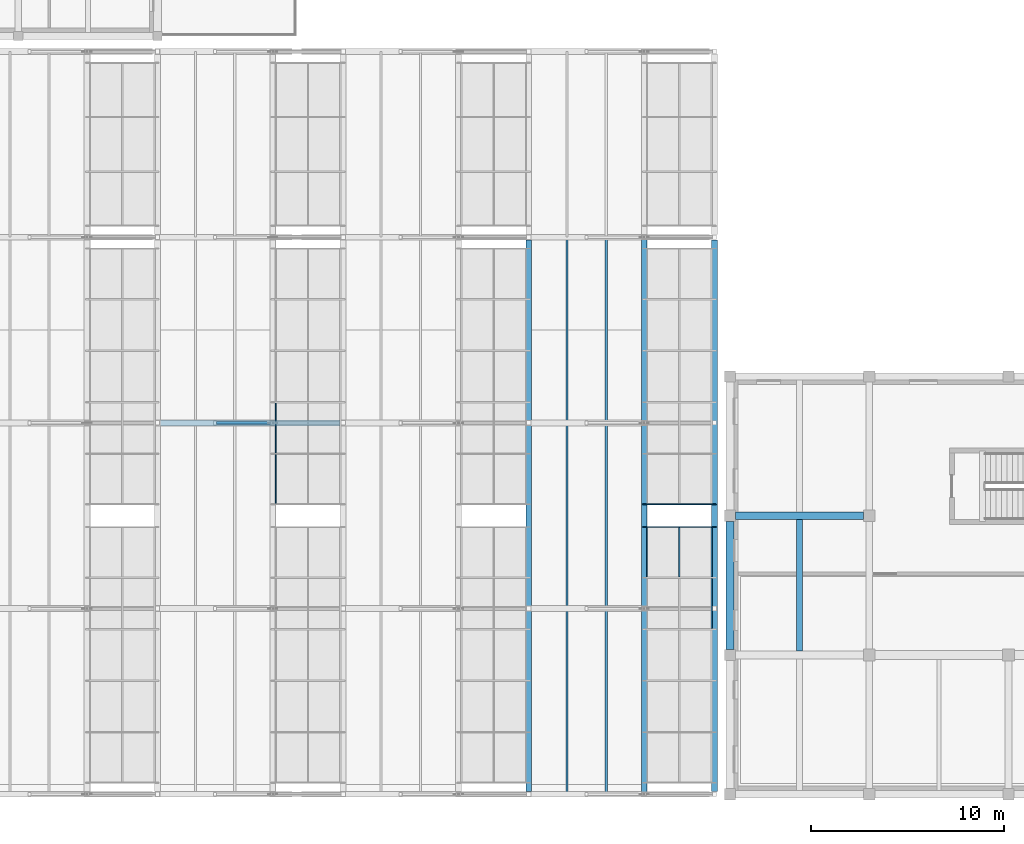
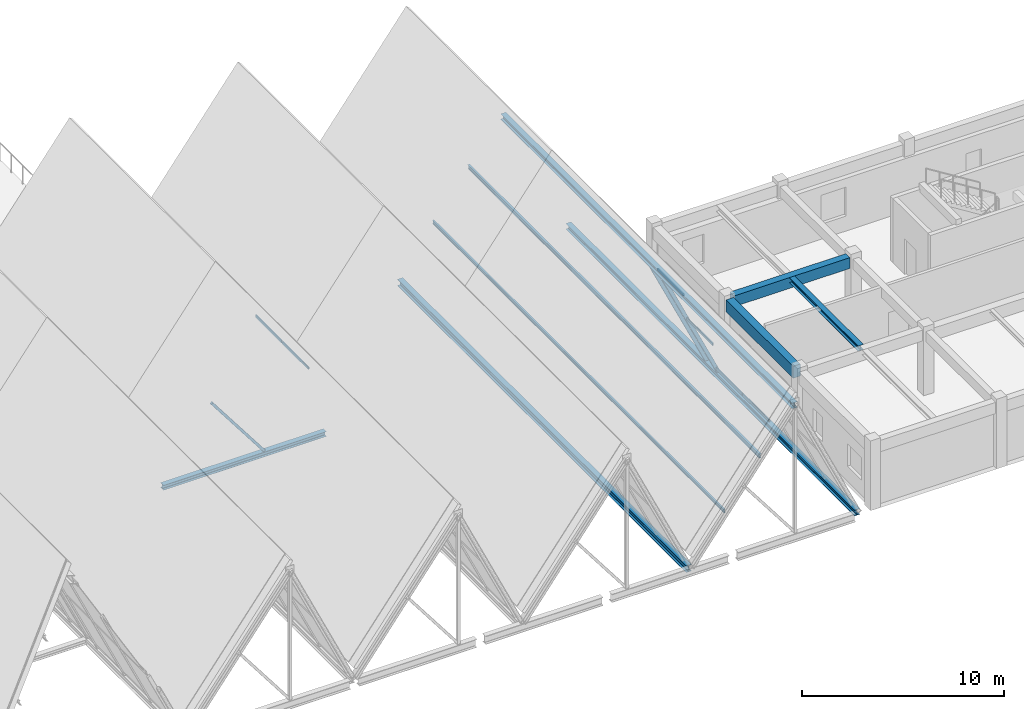
# One storey, part 21 of 99: 12 members, 6 beams, 3 elements without a shape of their own.
"""IFC4 building model written with IfcOpenShell, lengths in metres."""

from ifc_helpers import new_model, si_unit, direction, frame, origin, origin_2d, place, context, subcontext, project, spatial, rectangle, hollow_rectangle, i_section, extrude, material, material_profile, profile_set, type_object, element, aggregate, save


model = new_model("IFC4")

# Units and contexts
model_context = context("Model", 3, precision=1e-05, world=origin(), true_north=direction((0.0, 1.0)))
body_context = subcontext(model_context, "Body", "Model", "MODEL_VIEW")
ifc_project = project(units=[si_unit("LENGTHUNIT", "METRE"), si_unit("AREAUNIT", "SQUARE_METRE"), si_unit("VOLUMEUNIT", "CUBIC_METRE"), si_unit("PLANEANGLEUNIT", "RADIAN"), si_unit("MASSUNIT", "GRAM", prefix="KILO")], contexts=[model_context])

# Site, building, storey
site_placement = place(None, origin())
site = spatial("IfcSite", under=ifc_project, at=site_placement, CompositionType="ELEMENT")
building_placement = place(site_placement, origin())
building = spatial("IfcBuilding", under=site, at=building_placement, Name="Bramveld Media Centre", CompositionType="ELEMENT")
storey_placement = place(building_placement, frame((0.0, 0.0, 13.800048828125)))
storey = spatial("IfcBuildingStorey", under=building, at=storey_placement, Name="L03", CompositionType="ELEMENT", Elevation=13.800048828125)

# Beam
ifc_material_1 = material(Name="Concrete C40/50", Category="concrete")
ifc_material_profile_1 = material_profile(ifc_material_1, rectangle(XDim=0.39990234375, YDim=0.64990234375, at=origin_2d()), Name="RC 400x650")
ifc_profile_set_1 = profile_set([ifc_material_profile_1], Name="Concrete C40/50")
beam_type_1 = type_object("IfcBeamType", Name="BM-INT-RC-400x650", PredefinedType="BEAM", material=ifc_profile_set_1)
beam_1_placement = place(storey_placement, frame((58.68994140625, 14.39990234375, 3.635009765625), z_axis=(1.0, 0.0, 0.0), x_axis=(0.0, 1.0, 0.0)))
element("IfcBeam", 1, at=beam_1_placement, inside=storey, type_object=beam_type_1, Name="V5 L03 girder X-840", PredefinedType="BEAM", context=body_context, shape_type="SweptSolid", body=[
    extrude(rectangle(XDim=0.39990234375, YDim=0.64990234375, at=origin_2d()), origin(), (0.0, 0.0, 1.0), 6.610107421875),
])

# Curtain wall, member
ifc_material_2 = material(Name="Thermally broken anodized bronze aluminium unitized curtain wall with solar-control triple glazing", Category="aluminium")
curtain_wall_type = type_object("IfcCurtainWallType", Name="CW-SAW-13300x8606", PredefinedType="NOTDEFINED", material=ifc_material_2)
curtain_wall_1_placement = place(storey_placement, origin())
curtain_wall_1 = element("IfcCurtainWall", 2, at=curtain_wall_1_placement, inside=storey, type_object=curtain_wall_type, Name="V2 sawtooth north-light clerestory B6-S1", PredefinedType="NOTDEFINED")
ifc_material_3 = material(Name="Thermally broken anodized bronze aluminium EN AW-6063 T6 curtain-wall framing", Category="aluminium")
ifc_material_profile_2 = material_profile(ifc_material_3, hollow_rectangle(XDim=0.070068359375, YDim=0.199951171875, WallThickness=0.00439453125, InnerFilletRadius=0.00439453125, OuterFilletRadius=0.009033203125, at=origin_2d()), Name="AL-MULL 70x200")
ifc_profile_set_2 = profile_set([ifc_material_profile_2], Name="Thermally broken anodized bronze aluminium EN AW-6063 T6 curtain-wall framing")
member_type_1 = type_object("IfcMemberType", Name="CW-MULL-SLP", PredefinedType="MULLION", material=ifc_profile_set_2)
member_1_placement = place(storey_placement, frame((57.60009765625, 13.81494140625, -0.02001953125), z_axis=(-0.423956992265, 0.0, 0.90568232218), x_axis=(0.0, -1.0, 0.0)))
member_1 = element("IfcMember", 3, at=member_1_placement, type_object=member_type_1, Name="CW-SA-13386 sloped mullion 6", PredefinedType="MULLION", context=body_context, shape_type="SweptSolid", body=[
    extrude(hollow_rectangle(XDim=0.070068359375, YDim=0.199951171875, WallThickness=0.00439453125, InnerFilletRadius=0.00439453125, OuterFilletRadius=0.009033203125, at=origin_2d()), origin(), (0.0, 0.0, 1.0), 8.5791015625),
])

curtain_wall_2_placement = place(storey_placement, origin())
curtain_wall_2 = element("IfcCurtainWall", 4, at=curtain_wall_2_placement, inside=storey, type_object=curtain_wall_type, Name="V2 sawtooth north-light clerestory B6-S2", PredefinedType="NOTDEFINED")
member_2_placement = place(storey_placement, frame((57.60009765625, 14.985107421875, -0.02001953125), z_axis=(-0.423956992265, 0.0, 0.90568232218), x_axis=(0.0, -1.0, 0.0)))
member_2 = element("IfcMember", 5, at=member_2_placement, type_object=member_type_1, Name="CW-SA-13386 sloped mullion 1", PredefinedType="MULLION", context=body_context, shape_type="SweptSolid", body=[
    extrude(hollow_rectangle(XDim=0.070068359375, YDim=0.199951171875, WallThickness=0.00439453125, InnerFilletRadius=0.00439453125, OuterFilletRadius=0.009033203125, at=origin_2d()), origin(), (0.0, 0.0, 1.0), 8.5791015625),
])
aggregate(curtain_wall_2, [member_2])

# Curtain wall, members
curtain_wall_3_placement = place(storey_placement, origin())
curtain_wall_3 = element("IfcCurtainWall", 6, at=curtain_wall_3_placement, inside=storey, type_object=curtain_wall_type, Name="V2 sawtooth north-light clerestory B4-S2", PredefinedType="NOTDEFINED")
ifc_material_4 = material(Name="Thermally broken anodized bronze aluminium EN AW-6063 T6 curtain-wall framing", Category="aluminium")
ifc_material_profile_3 = material_profile(ifc_material_4, hollow_rectangle(XDim=0.070068359375, YDim=0.14990234375, WallThickness=0.00390625, InnerFilletRadius=0.00390625, OuterFilletRadius=0.008056640625, at=origin_2d()), Name="AL-TRAN 70x150")
ifc_profile_set_3 = profile_set([ifc_material_profile_3], Name="Thermally broken anodized bronze aluminium EN AW-6063 T6 curtain-wall framing")
member_type_2 = type_object("IfcMemberType", Name="CW-TRAN-SLP", PredefinedType="USERDEFINED", material=ifc_profile_set_3)
member_3_placement = place(storey_placement, frame((34.908203125, 15.02001953125, 7.439208984375), z_axis=(0.0, 1.0, 0.0), x_axis=(-1.0, 0.0, 0.0)))
member_3 = element("IfcMember", 7, at=member_3_placement, type_object=member_type_2, Name="CW-SA-13386 transom 1.3", ObjectType="TRANSOM", PredefinedType="USERDEFINED", context=body_context, shape_type="SweptSolid", body=[
    extrude(hollow_rectangle(XDim=0.070068359375, YDim=0.14990234375, WallThickness=0.00390625, InnerFilletRadius=0.00390625, OuterFilletRadius=0.008056640625, at=origin_2d()), origin(), (0.0, 0.0, 1.0), 2.554931640625),
])
member_4_placement = place(storey_placement, frame((34.908203125, 17.64501953125, 7.439208984375), z_axis=(0.0, 1.0, 0.0), x_axis=(-1.0, 0.0, 0.0)))
member_4 = element("IfcMember", 8, at=member_4_placement, type_object=member_type_2, Name="CW-SA-13386 transom 2.3", ObjectType="TRANSOM", PredefinedType="USERDEFINED", context=body_context, shape_type="SweptSolid", body=[
    extrude(hollow_rectangle(XDim=0.070068359375, YDim=0.14990234375, WallThickness=0.00390625, InnerFilletRadius=0.00390625, OuterFilletRadius=0.008056640625, at=origin_2d()), origin(), (0.0, 0.0, 1.0), 2.590087890625),
])
aggregate(curtain_wall_3, [member_3, member_4])

# Member
member_5_placement = place(storey_placement, frame((57.45458984375, 8.56494140625, 0.290771484375), z_axis=(0.0, 1.0, 0.0), x_axis=(-1.0, 0.0, 0.0)))
member_5 = element("IfcMember", 9, at=member_5_placement, type_object=member_type_2, Name="CW-SA-13386 transom 4.1", ObjectType="TRANSOM", PredefinedType="USERDEFINED", context=body_context, shape_type="SweptSolid", body=[
    extrude(hollow_rectangle(XDim=0.070068359375, YDim=0.14990234375, WallThickness=0.00390625, InnerFilletRadius=0.00390625, OuterFilletRadius=0.008056640625, at=origin_2d()), origin(), (0.0, 0.0, 1.0), 2.590087890625),
])

member_6_placement = place(storey_placement, frame((57.45458984375, 11.22509765625, 0.290771484375), z_axis=(0.0, 1.0, 0.0), x_axis=(-1.0, 0.0, 0.0)))
member_6 = element("IfcMember", 10, at=member_6_placement, type_object=member_type_2, Name="CW-SA-13386 transom 5.1", ObjectType="TRANSOM", PredefinedType="USERDEFINED", context=body_context, shape_type="SweptSolid", body=[
    extrude(hollow_rectangle(XDim=0.070068359375, YDim=0.14990234375, WallThickness=0.00390625, InnerFilletRadius=0.00390625, OuterFilletRadius=0.008056640625, at=origin_2d()), origin(), (0.0, 0.0, 1.0), 2.554931640625),
])

member_7_placement = place(storey_placement, frame((55.781494140625, 11.22509765625, 3.864990234375), z_axis=(0.0, 1.0, 0.0), x_axis=(-1.0, 0.0, 0.0)))
member_7 = element("IfcMember", 11, at=member_7_placement, type_object=member_type_2, Name="CW-SA-13386 transom 5.2", ObjectType="TRANSOM", PredefinedType="USERDEFINED", context=body_context, shape_type="SweptSolid", body=[
    extrude(hollow_rectangle(XDim=0.070068359375, YDim=0.14990234375, WallThickness=0.00390625, InnerFilletRadius=0.00390625, OuterFilletRadius=0.008056640625, at=origin_2d()), origin(), (0.0, 0.0, 1.0), 2.554931640625),
])

member_8_placement = place(storey_placement, frame((54.1083984375, 11.22509765625, 7.439208984375), z_axis=(0.0, 1.0, 0.0), x_axis=(-1.0, 0.0, 0.0)))
member_8 = element("IfcMember", 12, at=member_8_placement, type_object=member_type_2, Name="CW-SA-13386 transom 5.3", ObjectType="TRANSOM", PredefinedType="USERDEFINED", context=body_context, shape_type="SweptSolid", body=[
    extrude(hollow_rectangle(XDim=0.070068359375, YDim=0.14990234375, WallThickness=0.00390625, InnerFilletRadius=0.00390625, OuterFilletRadius=0.008056640625, at=origin_2d()), origin(), (0.0, 0.0, 1.0), 2.554931640625),
])

aggregate(curtain_wall_1, [member_1, member_5, member_6, member_7, member_8])

# Members
ifc_material_5 = material(Name="Steel S355J2H", Category="steel")
ifc_material_profile_4 = material_profile(ifc_material_5, hollow_rectangle(XDim=0.14990234375, YDim=0.14990234375, WallThickness=0.010009765625, InnerFilletRadius=0.010009765625, OuterFilletRadius=0.02001953125, at=origin_2d()), Name="SHS 150x150x10")
ifc_profile_set_4 = profile_set([ifc_material_profile_4], Name="Steel S355J2H")
member_type_3 = type_object("IfcMemberType", Name="MEM-BRACE-SHS150", PredefinedType="BRACE", material=ifc_profile_set_4)
member_9_placement = place(storey_placement, frame((34.7626953125, 19.199951171875, 0.0), z_axis=(-0.607311644479, 0.0, 0.794463697396), x_axis=(0.0, -1.0, 0.0)))
element("IfcMember", 13, at=member_9_placement, inside=storey, type_object=member_type_3, Name="TRUSS-V2-B04-F3 web diagonal", PredefinedType="BRACE", context=body_context, shape_type="SweptSolid", body=[
    extrude(hollow_rectangle(XDim=0.14990234375, YDim=0.14990234375, WallThickness=0.010009765625, InnerFilletRadius=0.010009765625, OuterFilletRadius=0.02001953125, at=origin_2d()), origin(), (0.0, 0.0, 1.0), 4.908935546875),
])
ifc_material_6 = material(Name="Steel S355J2", Category="steel")
ifc_material_profile_5 = material_profile(ifc_material_6, i_section(OverallWidth=0.300048828125, OverallDepth=0.2900390625, WebThickness=0.008544921875, FlangeThickness=0.013916015625, FilletRadius=0.027099609375, at=origin_2d()), Name="HEA 300")
ifc_profile_set_5 = profile_set([ifc_material_profile_5], Name="Steel S355J2")
member_type_4 = type_object("IfcMemberType", Name="MEM-CHORD-HEA300", PredefinedType="CHORD", material=ifc_profile_set_5)
member_10_placement = place(storey_placement, frame((28.9599609375, 19.199951171875, -0.14501953125), z_axis=(1.0, 0.0, 0.0), x_axis=(0.0, 1.0, 0.0)))
element("IfcMember", 14, at=member_10_placement, inside=storey, type_object=member_type_4, Name="TRUSS-V2-B04-F3 bottom tie chord", PredefinedType="CHORD", context=body_context, shape_type="SweptSolid", body=[
    extrude(i_section(OverallWidth=0.300048828125, OverallDepth=0.2900390625, WebThickness=0.008544921875, FlangeThickness=0.013916015625, FilletRadius=0.027099609375, at=origin_2d()), origin(), (0.0, 0.0, 1.0), 9.280029296875),
])
ifc_material_7 = material(Name="Steel S355J2", Category="steel")
ifc_material_profile_6 = material_profile(ifc_material_7, i_section(OverallWidth=0.10009765625, OverallDepth=0.199951171875, WebThickness=0.005615234375, FlangeThickness=0.008544921875, FilletRadius=0.011962890625, at=origin_2d()), Name="IPE 200")
ifc_profile_set_6 = profile_set([ifc_material_profile_6], Name="Steel S355J2")
member_type_5 = type_object("IfcMemberType", Name="MEM-PURLIN-IPE200", PredefinedType="PURLIN", material=ifc_profile_set_6)
member_11_placement = place(storey_placement, frame((49.9677734375, 0.0, 2.650146484375), z_axis=(0.0, 1.0, 0.0), x_axis=(-1.0, 0.0, 0.0)))
element("IfcMember", 15, at=member_11_placement, inside=storey, type_object=member_type_5, Name="V2 roof purlin", PredefinedType="PURLIN", context=body_context, shape_type="SweptSolid", body=[
    extrude(i_section(OverallWidth=0.10009765625, OverallDepth=0.199951171875, WebThickness=0.005615234375, FlangeThickness=0.008544921875, FilletRadius=0.011962890625, at=origin_2d()), origin(), (0.0, 0.0, 1.0), 28.800048828125),
])
ifc_material_8 = material(Name="Steel S355J2", Category="steel")
ifc_material_profile_7 = material_profile(ifc_material_8, i_section(OverallWidth=0.1201171875, OverallDepth=0.239990234375, WebThickness=0.006103515625, FlangeThickness=0.009765625, FilletRadius=0.014892578125, at=origin_2d()), Name="IPE 240")
ifc_profile_set_7 = profile_set([ifc_material_profile_7], Name="Steel S355J2")
member_type_6 = type_object("IfcMemberType", Name="MEM-PURLIN-IPE240", PredefinedType="PURLIN", material=ifc_profile_set_7)
member_12_placement = place(storey_placement, frame((51.9951171875, 0.0, 5.26904296875), z_axis=(0.0, 1.0, 0.0), x_axis=(-1.0, 0.0, 0.0)))
element("IfcMember", 16, at=member_12_placement, inside=storey, type_object=member_type_6, Name="V2 roof purlin", PredefinedType="PURLIN", context=body_context, shape_type="SweptSolid", body=[
    extrude(i_section(OverallWidth=0.1201171875, OverallDepth=0.239990234375, WebThickness=0.006103515625, FlangeThickness=0.009765625, FilletRadius=0.014892578125, at=origin_2d()), origin(), (0.0, 0.0, 1.0), 28.800048828125),
])

# Beams
ifc_material_9 = material(Name="Steel S355J2", Category="steel")
ifc_material_profile_8 = material_profile(ifc_material_9, i_section(OverallWidth=0.300048828125, OverallDepth=0.35009765625, WebThickness=0.010009765625, FlangeThickness=0.017578125, FilletRadius=0.027099609375, at=origin_2d()), Name="HEA 360")
ifc_profile_set_8 = profile_set([ifc_material_profile_8], Name="Steel S355J2")
beam_type_2 = type_object("IfcBeamType", Name="SBM-EXT-HEA-360", PredefinedType="BEAM", material=ifc_profile_set_8)
beam_2_placement = place(storey_placement, frame((57.60009765625, 0.139892578125, -0.175048828125), z_axis=(0.0, 1.0, 0.0), x_axis=(-1.0, 0.0, 0.0)))
element("IfcBeam", 17, at=beam_2_placement, inside=storey, type_object=beam_type_2, Name="V2 valley spine girder 6", PredefinedType="BEAM", context=body_context, shape_type="SweptSolid", body=[
    extrude(i_section(OverallWidth=0.300048828125, OverallDepth=0.35009765625, WebThickness=0.010009765625, FlangeThickness=0.017578125, FilletRadius=0.027099609375, at=origin_2d()), origin(), (0.0, 0.0, 1.0), 28.52001953125),
])
ifc_material_10 = material(Name="Steel S355J2", Category="steel")
ifc_material_profile_9 = material_profile(ifc_material_10, i_section(OverallWidth=0.300048828125, OverallDepth=0.31005859375, WebThickness=0.009033203125, FlangeThickness=0.015380859375, FilletRadius=0.027099609375, at=origin_2d()), Name="HEA 320")
ifc_profile_set_9 = profile_set([ifc_material_profile_9], Name="Steel S355J2")
beam_type_3 = type_object("IfcBeamType", Name="SBM-INT-HEA-320", PredefinedType="BEAM", material=ifc_profile_set_9)
beam_3_placement = place(storey_placement, frame((62.0, 7.39990234375, 3.804931640625), z_axis=(0.0, 1.0, 0.0), x_axis=(-1.0, 0.0, 0.0)))
element("IfcBeam", 18, at=beam_3_placement, inside=storey, type_object=beam_type_3, Name="V5 L03 secondary floor joist 864", PredefinedType="BEAM", context=body_context, shape_type="SweptSolid", body=[
    extrude(i_section(OverallWidth=0.300048828125, OverallDepth=0.31005859375, WebThickness=0.009033203125, FlangeThickness=0.015380859375, FilletRadius=0.027099609375, at=origin_2d()), origin(), (0.0, 0.0, 1.0), 6.800048828125),
])
ifc_material_11 = material(Name="Steel S355J2", Category="steel")
ifc_material_profile_10 = material_profile(ifc_material_11, i_section(OverallWidth=0.300048828125, OverallDepth=0.330078125, WebThickness=0.009521484375, FlangeThickness=0.0166015625, FilletRadius=0.027099609375, at=origin_2d()), Name="HEA 340")
ifc_profile_set_10 = profile_set([ifc_material_profile_10], Name="Steel S355J2")
beam_type_4 = type_object("IfcBeamType", Name="SBM-INT-HEA-340", PredefinedType="BEAM", material=ifc_profile_set_10)
beam_4_placement = place(storey_placement, frame((53.962890625, 0.0, 7.635009765625), z_axis=(0.0, 1.0, 0.0), x_axis=(-1.0, 0.0, 0.0)))
element("IfcBeam", 19, at=beam_4_placement, inside=storey, type_object=beam_type_4, Name="V2 ridge spine beam", PredefinedType="BEAM", context=body_context, shape_type="SweptSolid", body=[
    extrude(i_section(OverallWidth=0.300048828125, OverallDepth=0.330078125, WebThickness=0.009521484375, FlangeThickness=0.0166015625, FilletRadius=0.027099609375, at=origin_2d()), origin(), (0.0, 0.0, 1.0), 28.800048828125),
])
ifc_material_12 = material(Name="Steel S355J2", Category="steel")
ifc_material_profile_11 = material_profile(ifc_material_12, i_section(OverallWidth=0.300048828125, OverallDepth=0.39990234375, WebThickness=0.013427734375, FlangeThickness=0.02392578125, FilletRadius=0.027099609375, at=origin_2d()), Name="HEB 400")
ifc_profile_set_11 = profile_set([ifc_material_profile_11], Name="Steel S355J2")
beam_type_5 = type_object("IfcBeamType", Name="SBM-INT-HEB-400", PredefinedType="BEAM", material=ifc_profile_set_11)
beam_5_placement = place(storey_placement, frame((48.0, 0.139892578125, -0.199951171875), z_axis=(0.0, 1.0, 0.0), x_axis=(-1.0, 0.0, 0.0)))
element("IfcBeam", 20, at=beam_5_placement, inside=storey, type_object=beam_type_5, Name="V2 valley spine girder 5", PredefinedType="BEAM", context=body_context, shape_type="SweptSolid", body=[
    extrude(i_section(OverallWidth=0.300048828125, OverallDepth=0.39990234375, WebThickness=0.013427734375, FlangeThickness=0.02392578125, FilletRadius=0.027099609375, at=origin_2d()), origin(), (0.0, 0.0, 1.0), 28.52001953125),
])
ifc_material_13 = material(Name="Concrete C40/50", Category="concrete")
ifc_material_profile_12 = material_profile(ifc_material_13, rectangle(XDim=0.419921875, YDim=0.719970703125, at=origin_2d()), Name="RC 420x720")
ifc_profile_set_12 = profile_set([ifc_material_profile_12], Name="Concrete C40/50")
beam_type_6 = type_object("IfcBeamType", Name="SPANDREL-EXT-RC-420x720", PredefinedType="SPANDREL", material=ifc_profile_set_12)
beam_6_placement = place(storey_placement, frame((58.39990234375, 7.489990234375, 3.599853515625), z_axis=(0.0, 1.0, 0.0), x_axis=(-1.0, 0.0, 0.0)))
element("IfcBeam", 21, at=beam_6_placement, inside=storey, type_object=beam_type_6, Name="V5 L03 girder Y-848", PredefinedType="SPANDREL", context=body_context, shape_type="SweptSolid", body=[
    extrude(rectangle(XDim=0.419921875, YDim=0.719970703125, at=origin_2d()), origin(), (0.0, 0.0, 1.0), 6.6201171875),
])

save(model, "model.ifc")
